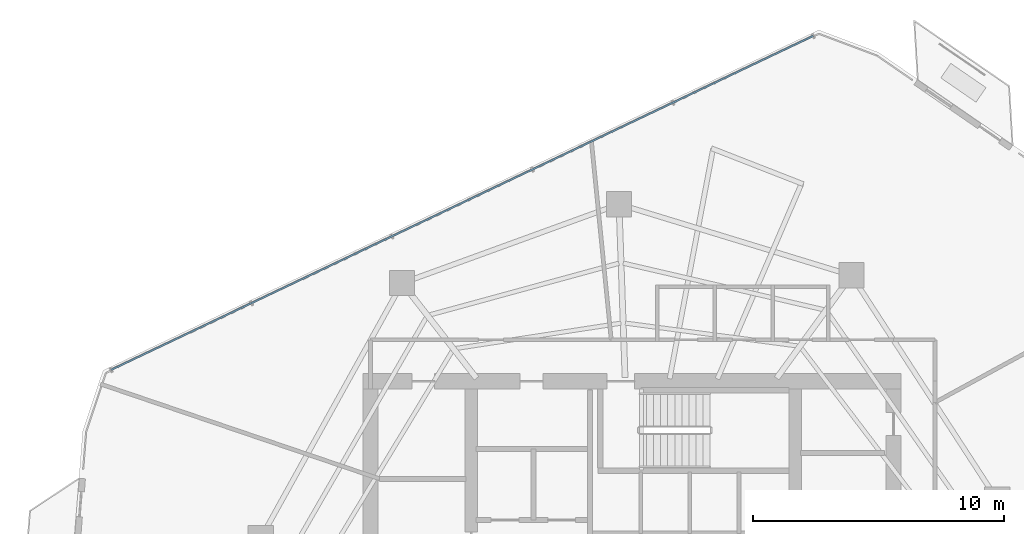
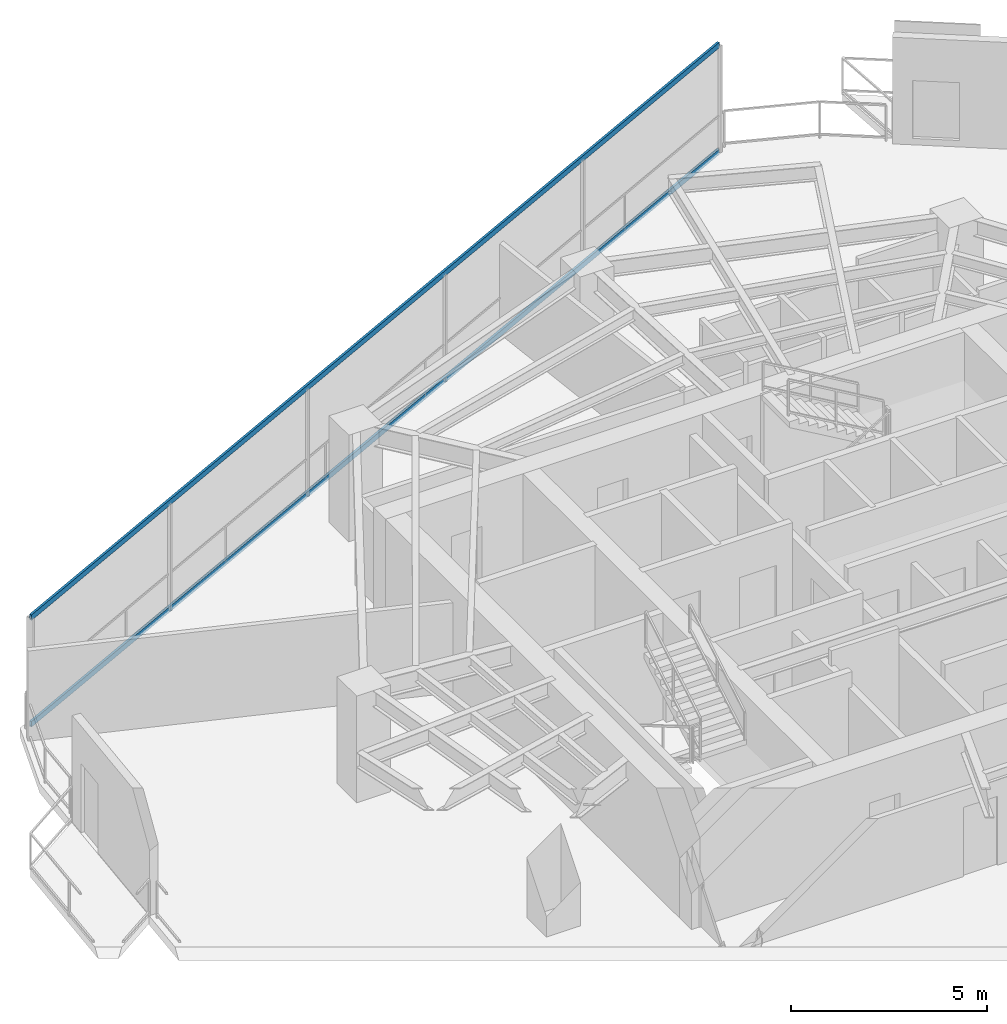
# One storey, part 13 of 21: 2 members, 1 element without a shape of its own.
"""IFC4 building model written with IfcOpenShell, lengths in metres."""

from ifc_helpers import new_model, si_unit, direction, frame, origin, origin_2d, place, context, subcontext, project, spatial, hollow_rectangle, extrude, material, layer, layer_set, material_profile, profile_set, type_object, element, aggregate, save


model = new_model("IFC4")

# Units and contexts
model_context = context("Model", 3, precision=1e-05, world=origin(), true_north=direction((0.0, 1.0)))
body_context = subcontext(model_context, "Body", "Model", "MODEL_VIEW")
ifc_project = project(units=[si_unit("LENGTHUNIT", "METRE"), si_unit("AREAUNIT", "SQUARE_METRE"), si_unit("VOLUMEUNIT", "CUBIC_METRE"), si_unit("PLANEANGLEUNIT", "RADIAN"), si_unit("MASSUNIT", "GRAM", prefix="KILO")], contexts=[model_context])

# Site, building, storey
site_placement = place(None, origin())
site = spatial("IfcSite", under=ifc_project, at=site_placement, CompositionType="ELEMENT")
building_placement = place(site_placement, origin())
building = spatial("IfcBuilding", under=site, at=building_placement, Name="Qarnah Convention Tower", CompositionType="ELEMENT")
storey_placement = place(building_placement, frame((0.0, 0.0, 161.699951171875)))
storey = spatial("IfcBuildingStorey", under=building, at=storey_placement, Name="L43", CompositionType="ELEMENT", Elevation=161.699951171875)

# Curtain wall, members
ifc_material_1 = material(Name="Tempered Low-E dark glass", Category="glass")
ifc_layer = layer(ifc_material_1, 0.172119140625)
ifc_layer_set = layer_set([ifc_layer], Name="Tempered Low-E dark glass")
curtain_wall_type = type_object("IfcCurtainWallType", Name="CWS-03", PredefinedType="NOTDEFINED", material=ifc_layer_set)
curtain_wall_placement = place(storey_placement, origin())
curtain_wall = element("IfcCurtainWall", 1, at=curtain_wall_placement, inside=storey, type_object=curtain_wall_type, Name="L43 unitised curtain wall CW-L43-F2", PredefinedType="NOTDEFINED")
ifc_material_2 = material(Name="Black anodised aluminium", Category="aluminium")
ifc_material_profile = material_profile(ifc_material_2, hollow_rectangle(XDim=0.070068359375, YDim=0.169921875, WallThickness=0.0048828125, at=origin_2d()), Name="TRN-70X170")
ifc_profile_set = profile_set([ifc_material_profile], Name="Black anodised aluminium")
member_type = type_object("IfcMemberType", Name="TRN-T3", PredefinedType="USERDEFINED", material=ifc_profile_set)
member_1_placement = place(storey_placement, frame((16.47998046875, 34.65087890625, 0.0), z_axis=(0.903046919127, 0.429541920953, 0.0), x_axis=(-0.429541920953, 0.903046919127, 0.0)))
member_1 = element("IfcMember", 2, at=member_1_placement, type_object=member_type, Name="CW-L43-F2 transom 1", ObjectType="TRANSOM", PredefinedType="USERDEFINED", context=body_context, shape_type="SweptSolid", body=[
    extrude(hollow_rectangle(XDim=0.070068359375, YDim=0.169921875, WallThickness=0.0048828125, at=origin_2d()), origin(), (0.0, 0.0, 1.0), 30.92626953125),
])
member_2_placement = place(storey_placement, frame((16.47998046875, 34.65087890625, 3.320068359375), z_axis=(0.903046919127, 0.429541920953, 0.0), x_axis=(-0.429541920953, 0.903046919127, 0.0)))
member_2 = element("IfcMember", 3, at=member_2_placement, type_object=member_type, Name="CW-L43-F2 transom 2", ObjectType="TRANSOM", PredefinedType="USERDEFINED", context=body_context, shape_type="SweptSolid", body=[
    extrude(hollow_rectangle(XDim=0.070068359375, YDim=0.169921875, WallThickness=0.0048828125, at=origin_2d()), origin(), (0.0, 0.0, 1.0), 30.92626953125),
])
aggregate(curtain_wall, [member_1, member_2])

save(model, "model.ifc")
